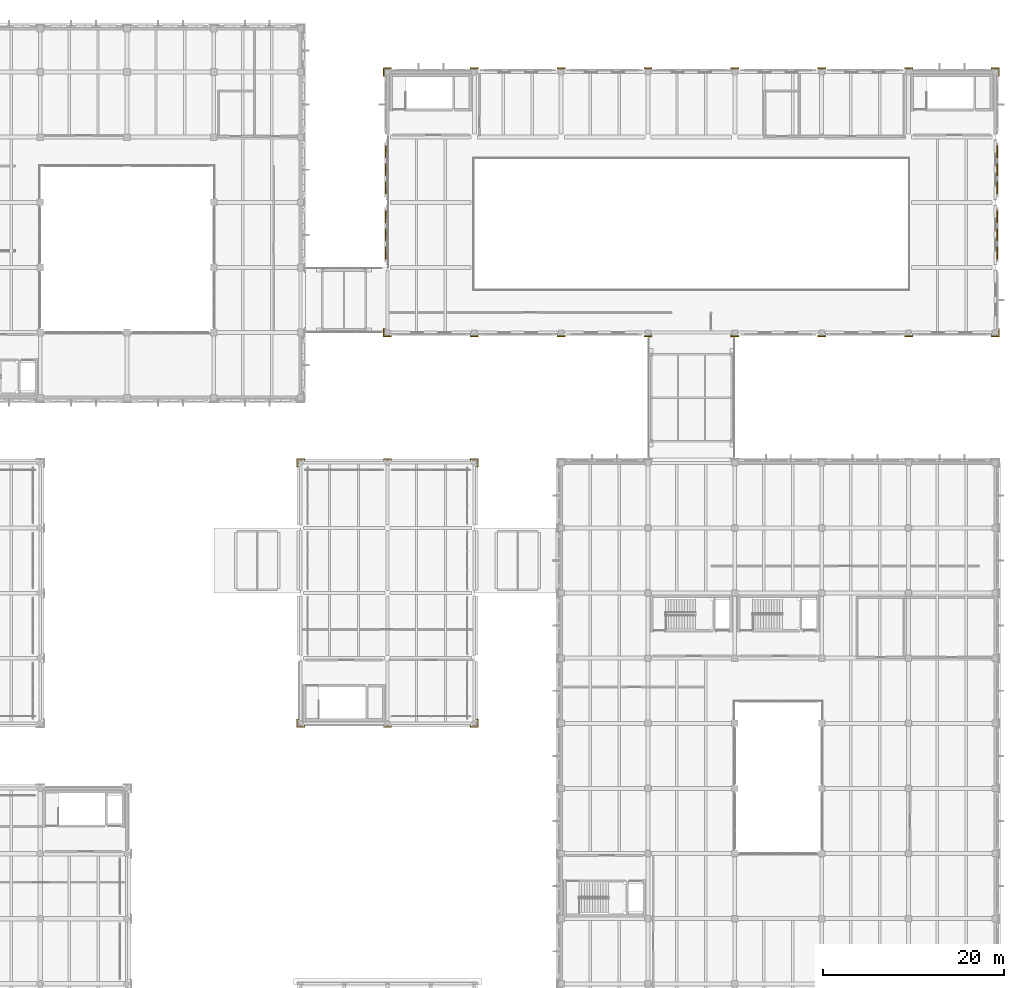
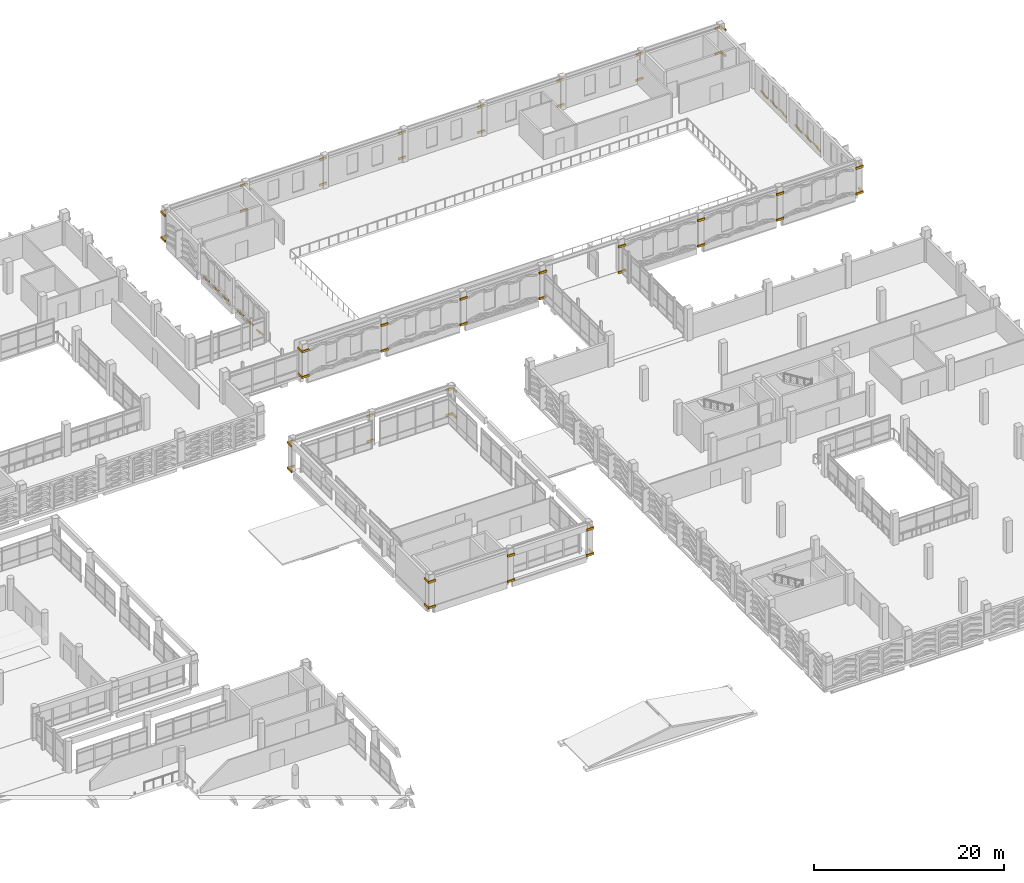
# One storey, part 180 of 180: 84 coverings.
"""IFC4 building model written with IfcOpenShell, lengths in metres."""

from ifc_helpers import new_model, si_unit, direction, frame, origin, origin_2d, place, context, subcontext, project, spatial, rectangle, extrude, material, layer, layer_set, type_object, element, save


model = new_model("IFC4")

# Units and contexts
model_context = context("Model", 3, precision=1e-05, world=origin(), true_north=direction((0.0, 1.0)))
body_context = subcontext(model_context, "Body", "Model", "MODEL_VIEW")
ifc_project = project(units=[si_unit("LENGTHUNIT", "METRE"), si_unit("AREAUNIT", "SQUARE_METRE"), si_unit("VOLUMEUNIT", "CUBIC_METRE"), si_unit("PLANEANGLEUNIT", "RADIAN"), si_unit("MASSUNIT", "GRAM", prefix="KILO")], contexts=[model_context])

# Site, building, storey
site_placement = place(None, origin())
site = spatial("IfcSite", under=ifc_project, at=site_placement, CompositionType="ELEMENT")
building_placement = place(site_placement, origin())
building = spatial("IfcBuilding", under=site, at=building_placement, Name="Asteropetra Specialist Clinic", CompositionType="ELEMENT")
storey_placement = place(building_placement, frame((0.0, 0.0, 4.419921875)))
storey = spatial("IfcBuildingStorey", under=building, at=storey_placement, Name="L01", CompositionType="ELEMENT", Elevation=4.419921875)

# Coverings
ifc_material_1 = material(Name="Chevron terracotta deep", Category="masonry")
ifc_layer_1 = layer(ifc_material_1, 0.1201171875)
ifc_layer_set_1 = layer_set([ifc_layer_1], Name="Chevron terracotta deep")
covering_type_1 = type_object("IfcCoveringType", Name="CLD-TER-DEEP", PredefinedType="CLADDING", material=ifc_layer_set_1)
for number, where, z_axis, x_axis, name in (
    (1, (86.18505859375, 89.89404296875, 0.1201171875), (0.0, 0.0, 1.0), (1.0, 0.0, 0.0), "Chevron Ceramic Band CV-1319"),
    (2, (86.18505859375, 89.305908203125, 0.26025390625), (0.0, 0.0, 1.0), (1.0, 0.0, 0.0), "Chevron Ceramic Band CV-1320"),
    (3, (86.18505859375, 87.89404296875, 0.1201171875), (0.0, 0.0, 1.0), (1.0, 0.0, 0.0), "Chevron Ceramic Band CV-1321"),
    (4, (86.18505859375, 87.305908203125, 0.26025390625), (0.0, 0.0, 1.0), (1.0, 0.0, 0.0), "Chevron Ceramic Band CV-1322"),
    (5, (86.18505859375, 85.89404296875, 0.1201171875), (0.0, 0.0, 1.0), (1.0, 0.0, 0.0), "Chevron Ceramic Band CV-1323"),
    (6, (86.18505859375, 85.305908203125, 0.26025390625), (0.0, 0.0, 1.0), (1.0, 0.0, 0.0), "Chevron Ceramic Band CV-1324"),
    (7, (153.81494140625, 85.305908203125, 0.1201171875), (0.0, 0.0, 1.0), (1.0, 0.0, 0.0), "Chevron Ceramic Band CV-1327"),
    (8, (153.81494140625, 85.89404296875, 0.26025390625), (0.0, 0.0, 1.0), (1.0, 0.0, 0.0), "Chevron Ceramic Band CV-1328"),
    (9, (153.81494140625, 87.305908203125, 0.1201171875), (0.0, 0.0, 1.0), (1.0, 0.0, 0.0), "Chevron Ceramic Band CV-1329"),
    (10, (153.81494140625, 87.89404296875, 0.26025390625), (0.0, 0.0, 1.0), (1.0, 0.0, 0.0), "Chevron Ceramic Band CV-1330"),
    (11, (153.81494140625, 89.305908203125, 0.1201171875), (0.0, 0.0, 1.0), (1.0, 0.0, 0.0), "Chevron Ceramic Band CV-1331"),
    (12, (153.81494140625, 89.89404296875, 0.26025390625), (0.0, 0.0, 1.0), (1.0, 0.0, 0.0), "Chevron Ceramic Band CV-1332"),
    (13, (86.18505859375, 97.093994140625, 0.1201171875), (0.0, 0.0, 1.0), (1.0, 0.0, 0.0), "Chevron Ceramic Band CV-1335"),
    (14, (86.18505859375, 96.506103515625, 0.26025390625), (0.0, 0.0, 1.0), (1.0, 0.0, 0.0), "Chevron Ceramic Band CV-1336"),
    (15, (86.18505859375, 95.093994140625, 0.1201171875), (0.0, 0.0, 1.0), (1.0, 0.0, 0.0), "Chevron Ceramic Band CV-1337"),
    (16, (86.18505859375, 94.506103515625, 0.26025390625), (0.0, 0.0, 1.0), (1.0, 0.0, 0.0), "Chevron Ceramic Band CV-1338"),
    (17, (86.18505859375, 93.093994140625, 0.1201171875), (0.0, 0.0, 1.0), (1.0, 0.0, 0.0), "Chevron Ceramic Band CV-1339"),
    (18, (86.18505859375, 92.506103515625, 0.26025390625), (0.0, 0.0, 1.0), (1.0, 0.0, 0.0), "Chevron Ceramic Band CV-1340"),
    (19, (153.81494140625, 92.506103515625, 0.1201171875), (0.0, 0.0, 1.0), (1.0, 0.0, 0.0), "Chevron Ceramic Band CV-1343"),
    (20, (153.81494140625, 93.093994140625, 0.26025390625), (0.0, 0.0, 1.0), (1.0, 0.0, 0.0), "Chevron Ceramic Band CV-1344"),
    (21, (153.81494140625, 94.506103515625, 0.1201171875), (0.0, 0.0, 1.0), (1.0, 0.0, 0.0), "Chevron Ceramic Band CV-1345"),
    (22, (153.81494140625, 95.093994140625, 0.26025390625), (0.0, 0.0, 1.0), (1.0, 0.0, 0.0), "Chevron Ceramic Band CV-1346"),
    (23, (153.81494140625, 96.506103515625, 0.1201171875), (0.0, 0.0, 1.0), (1.0, 0.0, 0.0), "Chevron Ceramic Band CV-1347"),
    (24, (153.81494140625, 97.093994140625, 0.26025390625), (0.0, 0.0, 1.0), (1.0, 0.0, 0.0), "Chevron Ceramic Band CV-1348"),
):
    element("IfcCovering", number, at=place(storey_placement, frame(where, z_axis=z_axis, x_axis=x_axis)), inside=storey, type_object=covering_type_1, Name=name, PredefinedType="CLADDING", context=body_context, shape_type="SweptSolid", body=[
        extrude(rectangle(XDim=0.1201171875, YDim=0.760009765625, at=origin_2d()), origin(), (0.0, 0.0, 1.0), 0.199951171875),
    ])
ifc_material_2 = material(Name="Pentelic marble ashlar", Category="masonry")
ifc_layer_2 = layer(ifc_material_2, 0.159912109375)
ifc_layer_set_2 = layer_set([ifc_layer_2], Name="Pentelic marble ashlar")
covering_type_2 = type_object("IfcCoveringType", Name="CRN-ENTAB-600", PredefinedType="MOLDING", material=ifc_layer_set_2)
for number, where, z_axis, x_axis, name in (
    (25, (86.39990234375, 76.427978515625, 0.01025390625), (0.0, 0.0, 1.0), (1.0, 0.0, 0.0), "Doric Base CC-0176"),
    (26, (86.39990234375, 76.427978515625, 3.2900390625), (0.0, 0.0, 1.0), (1.0, 0.0, 0.0), "Doric Capital CC-0177"),
):
    element("IfcCovering", number, at=place(storey_placement, frame(where, z_axis=z_axis, x_axis=x_axis)), inside=storey, type_object=covering_type_2, Name=name, PredefinedType="MOLDING", context=body_context, shape_type="SweptSolid", body=[
        extrude(rectangle(XDim=0.8798828125, YDim=0.159912109375, at=origin_2d()), origin(), (0.0, 0.0, 1.0), 0.260009765625),
    ])
for number, where, z_axis, x_axis, name in (
    (27, (86.028076171875, 76.800048828125, 0.01025390625), (0.0, 0.0, 1.0), (1.0, 0.0, 0.0), "Doric Base CC-0179"),
    (28, (86.028076171875, 76.800048828125, 3.2900390625), (0.0, 0.0, 1.0), (1.0, 0.0, 0.0), "Doric Capital CC-0180"),
):
    element("IfcCovering", number, at=place(storey_placement, frame(where, z_axis=z_axis, x_axis=x_axis)), inside=storey, type_object=covering_type_2, Name=name, PredefinedType="MOLDING", context=body_context, shape_type="SweptSolid", body=[
        extrude(rectangle(XDim=0.159912109375, YDim=0.8798828125, at=origin_2d()), origin(), (0.0, 0.0, 1.0), 0.260009765625),
    ])
for number, where, z_axis, x_axis, name in (
    (29, (86.39990234375, 105.971923828125, 0.01025390625), (0.0, 0.0, 1.0), (1.0, 0.0, 0.0), "Doric Base CC-0182"),
    (30, (86.39990234375, 105.971923828125, 3.2900390625), (0.0, 0.0, 1.0), (1.0, 0.0, 0.0), "Doric Capital CC-0183"),
):
    element("IfcCovering", number, at=place(storey_placement, frame(where, z_axis=z_axis, x_axis=x_axis)), inside=storey, type_object=covering_type_2, Name=name, PredefinedType="MOLDING", context=body_context, shape_type="SweptSolid", body=[
        extrude(rectangle(XDim=0.8798828125, YDim=0.159912109375, at=origin_2d()), origin(), (0.0, 0.0, 1.0), 0.260009765625),
    ])
for number, where, z_axis, x_axis, name in (
    (31, (86.028076171875, 105.60009765625, 0.01025390625), (0.0, 0.0, 1.0), (1.0, 0.0, 0.0), "Doric Base CC-0185"),
    (32, (86.028076171875, 105.60009765625, 3.2900390625), (0.0, 0.0, 1.0), (1.0, 0.0, 0.0), "Doric Capital CC-0186"),
):
    element("IfcCovering", number, at=place(storey_placement, frame(where, z_axis=z_axis, x_axis=x_axis)), inside=storey, type_object=covering_type_2, Name=name, PredefinedType="MOLDING", context=body_context, shape_type="SweptSolid", body=[
        extrude(rectangle(XDim=0.159912109375, YDim=0.8798828125, at=origin_2d()), origin(), (0.0, 0.0, 1.0), 0.260009765625),
    ])
for number, where, z_axis, x_axis, name in (
    (33, (96.0, 76.427978515625, 0.01025390625), (0.0, 0.0, 1.0), (1.0, 0.0, 0.0), "Doric Base CC-0188"),
    (34, (96.0, 76.427978515625, 3.2900390625), (0.0, 0.0, 1.0), (1.0, 0.0, 0.0), "Doric Capital CC-0189"),
    (35, (96.0, 105.971923828125, 0.01025390625), (0.0, 0.0, 1.0), (1.0, 0.0, 0.0), "Doric Base CC-0191"),
    (36, (96.0, 105.971923828125, 3.2900390625), (0.0, 0.0, 1.0), (1.0, 0.0, 0.0), "Doric Capital CC-0192"),
    (37, (105.60009765625, 76.427978515625, 0.01025390625), (0.0, 0.0, 1.0), (1.0, 0.0, 0.0), "Doric Base CC-0194"),
    (38, (105.60009765625, 76.427978515625, 3.2900390625), (0.0, 0.0, 1.0), (1.0, 0.0, 0.0), "Doric Capital CC-0195"),
    (39, (105.60009765625, 105.971923828125, 0.01025390625), (0.0, 0.0, 1.0), (1.0, 0.0, 0.0), "Doric Base CC-0197"),
    (40, (105.60009765625, 105.971923828125, 3.2900390625), (0.0, 0.0, 1.0), (1.0, 0.0, 0.0), "Doric Capital CC-0198"),
    (41, (115.199951171875, 76.427978515625, 0.01025390625), (0.0, 0.0, 1.0), (1.0, 0.0, 0.0), "Doric Base CC-0200"),
    (42, (115.199951171875, 76.427978515625, 3.2900390625), (0.0, 0.0, 1.0), (1.0, 0.0, 0.0), "Doric Capital CC-0201"),
    (43, (115.199951171875, 105.971923828125, 0.01025390625), (0.0, 0.0, 1.0), (1.0, 0.0, 0.0), "Doric Base CC-0203"),
    (44, (115.199951171875, 105.971923828125, 3.2900390625), (0.0, 0.0, 1.0), (1.0, 0.0, 0.0), "Doric Capital CC-0204"),
    (45, (124.800048828125, 76.427978515625, 0.01025390625), (0.0, 0.0, 1.0), (1.0, 0.0, 0.0), "Doric Base CC-0206"),
    (46, (124.800048828125, 76.427978515625, 3.2900390625), (0.0, 0.0, 1.0), (1.0, 0.0, 0.0), "Doric Capital CC-0207"),
    (47, (124.800048828125, 105.971923828125, 0.01025390625), (0.0, 0.0, 1.0), (1.0, 0.0, 0.0), "Doric Base CC-0209"),
    (48, (124.800048828125, 105.971923828125, 3.2900390625), (0.0, 0.0, 1.0), (1.0, 0.0, 0.0), "Doric Capital CC-0210"),
    (49, (134.39990234375, 76.427978515625, 0.01025390625), (0.0, 0.0, 1.0), (1.0, 0.0, 0.0), "Doric Base CC-0212"),
    (50, (134.39990234375, 76.427978515625, 3.2900390625), (0.0, 0.0, 1.0), (1.0, 0.0, 0.0), "Doric Capital CC-0213"),
    (51, (134.39990234375, 105.971923828125, 0.01025390625), (0.0, 0.0, 1.0), (1.0, 0.0, 0.0), "Doric Base CC-0215"),
    (52, (134.39990234375, 105.971923828125, 3.2900390625), (0.0, 0.0, 1.0), (1.0, 0.0, 0.0), "Doric Capital CC-0216"),
    (53, (144.0, 76.427978515625, 0.01025390625), (0.0, 0.0, 1.0), (1.0, 0.0, 0.0), "Doric Base CC-0218"),
    (54, (144.0, 76.427978515625, 3.2900390625), (0.0, 0.0, 1.0), (1.0, 0.0, 0.0), "Doric Capital CC-0219"),
    (55, (144.0, 105.971923828125, 0.01025390625), (0.0, 0.0, 1.0), (1.0, 0.0, 0.0), "Doric Base CC-0221"),
    (56, (144.0, 105.971923828125, 3.2900390625), (0.0, 0.0, 1.0), (1.0, 0.0, 0.0), "Doric Capital CC-0222"),
    (57, (153.60009765625, 76.427978515625, 0.01025390625), (0.0, 0.0, 1.0), (1.0, 0.0, 0.0), "Doric Base CC-0224"),
    (58, (153.60009765625, 76.427978515625, 3.2900390625), (0.0, 0.0, 1.0), (1.0, 0.0, 0.0), "Doric Capital CC-0225"),
):
    element("IfcCovering", number, at=place(storey_placement, frame(where, z_axis=z_axis, x_axis=x_axis)), inside=storey, type_object=covering_type_2, Name=name, PredefinedType="MOLDING", context=body_context, shape_type="SweptSolid", body=[
        extrude(rectangle(XDim=0.8798828125, YDim=0.159912109375, at=origin_2d()), origin(), (0.0, 0.0, 1.0), 0.260009765625),
    ])
for number, where, z_axis, x_axis, name in (
    (59, (153.971923828125, 76.800048828125, 0.01025390625), (0.0, 0.0, 1.0), (1.0, 0.0, 0.0), "Doric Base CC-0227"),
    (60, (153.971923828125, 76.800048828125, 3.2900390625), (0.0, 0.0, 1.0), (1.0, 0.0, 0.0), "Doric Capital CC-0228"),
):
    element("IfcCovering", number, at=place(storey_placement, frame(where, z_axis=z_axis, x_axis=x_axis)), inside=storey, type_object=covering_type_2, Name=name, PredefinedType="MOLDING", context=body_context, shape_type="SweptSolid", body=[
        extrude(rectangle(XDim=0.159912109375, YDim=0.8798828125, at=origin_2d()), origin(), (0.0, 0.0, 1.0), 0.260009765625),
    ])
for number, where, z_axis, x_axis, name in (
    (61, (153.60009765625, 105.971923828125, 0.01025390625), (0.0, 0.0, 1.0), (1.0, 0.0, 0.0), "Doric Base CC-0230"),
    (62, (153.60009765625, 105.971923828125, 3.2900390625), (0.0, 0.0, 1.0), (1.0, 0.0, 0.0), "Doric Capital CC-0231"),
):
    element("IfcCovering", number, at=place(storey_placement, frame(where, z_axis=z_axis, x_axis=x_axis)), inside=storey, type_object=covering_type_2, Name=name, PredefinedType="MOLDING", context=body_context, shape_type="SweptSolid", body=[
        extrude(rectangle(XDim=0.8798828125, YDim=0.159912109375, at=origin_2d()), origin(), (0.0, 0.0, 1.0), 0.260009765625),
    ])
for number, where, z_axis, x_axis, name in (
    (63, (153.971923828125, 105.60009765625, 0.01025390625), (0.0, 0.0, 1.0), (1.0, 0.0, 0.0), "Doric Base CC-0233"),
    (64, (153.971923828125, 105.60009765625, 3.2900390625), (0.0, 0.0, 1.0), (1.0, 0.0, 0.0), "Doric Capital CC-0234"),
):
    element("IfcCovering", number, at=place(storey_placement, frame(where, z_axis=z_axis, x_axis=x_axis)), inside=storey, type_object=covering_type_2, Name=name, PredefinedType="MOLDING", context=body_context, shape_type="SweptSolid", body=[
        extrude(rectangle(XDim=0.159912109375, YDim=0.8798828125, at=origin_2d()), origin(), (0.0, 0.0, 1.0), 0.260009765625),
    ])
for number, where, z_axis, x_axis, name in (
    (65, (76.800048828125, 33.22802734375, 0.01025390625), (0.0, 0.0, 1.0), (1.0, 0.0, 0.0), "Doric Base CC-0428"),
    (66, (76.800048828125, 33.22802734375, 3.2900390625), (0.0, 0.0, 1.0), (1.0, 0.0, 0.0), "Doric Capital CC-0429"),
):
    element("IfcCovering", number, at=place(storey_placement, frame(where, z_axis=z_axis, x_axis=x_axis)), inside=storey, type_object=covering_type_2, Name=name, PredefinedType="MOLDING", context=body_context, shape_type="SweptSolid", body=[
        extrude(rectangle(XDim=0.8798828125, YDim=0.159912109375, at=origin_2d()), origin(), (0.0, 0.0, 1.0), 0.260009765625),
    ])
for number, where, z_axis, x_axis, name in (
    (67, (76.427978515625, 33.60009765625, 0.01025390625), (0.0, 0.0, 1.0), (1.0, 0.0, 0.0), "Doric Base CC-0431"),
    (68, (76.427978515625, 33.60009765625, 3.2900390625), (0.0, 0.0, 1.0), (1.0, 0.0, 0.0), "Doric Capital CC-0432"),
):
    element("IfcCovering", number, at=place(storey_placement, frame(where, z_axis=z_axis, x_axis=x_axis)), inside=storey, type_object=covering_type_2, Name=name, PredefinedType="MOLDING", context=body_context, shape_type="SweptSolid", body=[
        extrude(rectangle(XDim=0.159912109375, YDim=0.8798828125, at=origin_2d()), origin(), (0.0, 0.0, 1.0), 0.260009765625),
    ])
for number, where, z_axis, x_axis, name in (
    (69, (76.800048828125, 62.77197265625, 0.01025390625), (0.0, 0.0, 1.0), (1.0, 0.0, 0.0), "Doric Base CC-0434"),
    (70, (76.800048828125, 62.77197265625, 3.2900390625), (0.0, 0.0, 1.0), (1.0, 0.0, 0.0), "Doric Capital CC-0435"),
):
    element("IfcCovering", number, at=place(storey_placement, frame(where, z_axis=z_axis, x_axis=x_axis)), inside=storey, type_object=covering_type_2, Name=name, PredefinedType="MOLDING", context=body_context, shape_type="SweptSolid", body=[
        extrude(rectangle(XDim=0.8798828125, YDim=0.159912109375, at=origin_2d()), origin(), (0.0, 0.0, 1.0), 0.260009765625),
    ])
for number, where, z_axis, x_axis, name in (
    (71, (76.427978515625, 62.39990234375, 0.01025390625), (0.0, 0.0, 1.0), (1.0, 0.0, 0.0), "Doric Base CC-0437"),
    (72, (76.427978515625, 62.39990234375, 3.2900390625), (0.0, 0.0, 1.0), (1.0, 0.0, 0.0), "Doric Capital CC-0438"),
):
    element("IfcCovering", number, at=place(storey_placement, frame(where, z_axis=z_axis, x_axis=x_axis)), inside=storey, type_object=covering_type_2, Name=name, PredefinedType="MOLDING", context=body_context, shape_type="SweptSolid", body=[
        extrude(rectangle(XDim=0.159912109375, YDim=0.8798828125, at=origin_2d()), origin(), (0.0, 0.0, 1.0), 0.260009765625),
    ])
for number, where, z_axis, x_axis, name in (
    (73, (86.39990234375, 33.22802734375, 0.01025390625), (0.0, 0.0, 1.0), (1.0, 0.0, 0.0), "Doric Base CC-0440"),
    (74, (86.39990234375, 33.22802734375, 3.2900390625), (0.0, 0.0, 1.0), (1.0, 0.0, 0.0), "Doric Capital CC-0441"),
    (75, (86.39990234375, 62.77197265625, 0.01025390625), (0.0, 0.0, 1.0), (1.0, 0.0, 0.0), "Doric Base CC-0443"),
    (76, (86.39990234375, 62.77197265625, 3.2900390625), (0.0, 0.0, 1.0), (1.0, 0.0, 0.0), "Doric Capital CC-0444"),
    (77, (96.0, 33.22802734375, 0.01025390625), (0.0, 0.0, 1.0), (1.0, 0.0, 0.0), "Doric Base CC-0446"),
    (78, (96.0, 33.22802734375, 3.2900390625), (0.0, 0.0, 1.0), (1.0, 0.0, 0.0), "Doric Capital CC-0447"),
):
    element("IfcCovering", number, at=place(storey_placement, frame(where, z_axis=z_axis, x_axis=x_axis)), inside=storey, type_object=covering_type_2, Name=name, PredefinedType="MOLDING", context=body_context, shape_type="SweptSolid", body=[
        extrude(rectangle(XDim=0.8798828125, YDim=0.159912109375, at=origin_2d()), origin(), (0.0, 0.0, 1.0), 0.260009765625),
    ])
for number, where, z_axis, x_axis, name in (
    (79, (96.3720703125, 33.60009765625, 0.01025390625), (0.0, 0.0, 1.0), (1.0, 0.0, 0.0), "Doric Base CC-0449"),
    (80, (96.3720703125, 33.60009765625, 3.2900390625), (0.0, 0.0, 1.0), (1.0, 0.0, 0.0), "Doric Capital CC-0450"),
):
    element("IfcCovering", number, at=place(storey_placement, frame(where, z_axis=z_axis, x_axis=x_axis)), inside=storey, type_object=covering_type_2, Name=name, PredefinedType="MOLDING", context=body_context, shape_type="SweptSolid", body=[
        extrude(rectangle(XDim=0.159912109375, YDim=0.8798828125, at=origin_2d()), origin(), (0.0, 0.0, 1.0), 0.260009765625),
    ])
for number, where, z_axis, x_axis, name in (
    (81, (96.0, 62.77197265625, 0.01025390625), (0.0, 0.0, 1.0), (1.0, 0.0, 0.0), "Doric Base CC-0452"),
    (82, (96.0, 62.77197265625, 3.2900390625), (0.0, 0.0, 1.0), (1.0, 0.0, 0.0), "Doric Capital CC-0453"),
):
    element("IfcCovering", number, at=place(storey_placement, frame(where, z_axis=z_axis, x_axis=x_axis)), inside=storey, type_object=covering_type_2, Name=name, PredefinedType="MOLDING", context=body_context, shape_type="SweptSolid", body=[
        extrude(rectangle(XDim=0.8798828125, YDim=0.159912109375, at=origin_2d()), origin(), (0.0, 0.0, 1.0), 0.260009765625),
    ])
for number, where, z_axis, x_axis, name in (
    (83, (96.3720703125, 62.39990234375, 0.01025390625), (0.0, 0.0, 1.0), (1.0, 0.0, 0.0), "Doric Base CC-0455"),
    (84, (96.3720703125, 62.39990234375, 3.2900390625), (0.0, 0.0, 1.0), (1.0, 0.0, 0.0), "Doric Capital CC-0456"),
):
    element("IfcCovering", number, at=place(storey_placement, frame(where, z_axis=z_axis, x_axis=x_axis)), inside=storey, type_object=covering_type_2, Name=name, PredefinedType="MOLDING", context=body_context, shape_type="SweptSolid", body=[
        extrude(rectangle(XDim=0.159912109375, YDim=0.8798828125, at=origin_2d()), origin(), (0.0, 0.0, 1.0), 0.260009765625),
    ])

save(model, "model.ifc")
